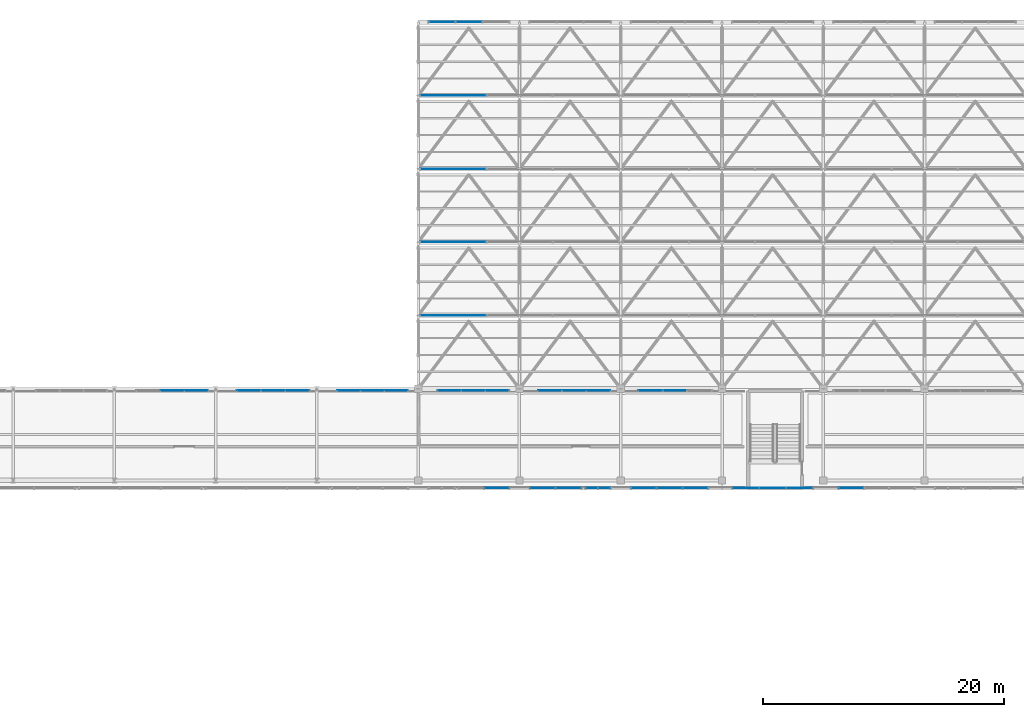
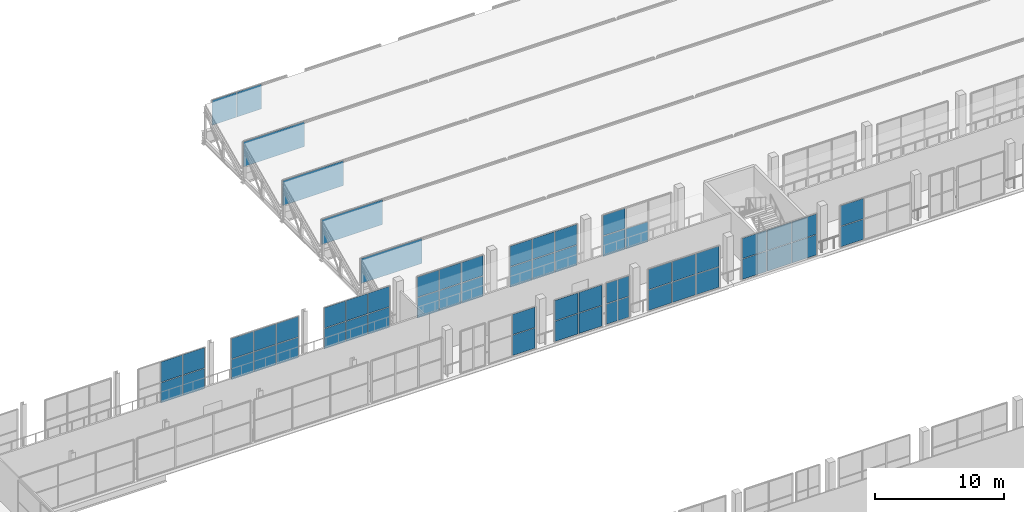
# One storey, part 170 of 217: 61 plates, 17 elements without a shape of their own.
"""IFC4 building model written with IfcOpenShell, lengths in metres."""

from ifc_helpers import new_model, si_unit, direction, frame, origin, origin_2d, place, context, subcontext, project, spatial, rectangle, extrude, material, layer, layer_set, type_object, element, aggregate, save


model = new_model("IFC4")

# Units and contexts
model_context = context("Model", 3, precision=1e-05, world=origin(), true_north=direction((0.0, 1.0)))
body_context = subcontext(model_context, "Body", "Model", "MODEL_VIEW")
ifc_project = project(units=[si_unit("LENGTHUNIT", "METRE"), si_unit("AREAUNIT", "SQUARE_METRE"), si_unit("VOLUMEUNIT", "CUBIC_METRE"), si_unit("PLANEANGLEUNIT", "RADIAN"), si_unit("MASSUNIT", "GRAM", prefix="KILO")], contexts=[model_context])

# Site, building, storey
site_placement = place(None, origin())
site = spatial("IfcSite", under=ifc_project, at=site_placement, CompositionType="ELEMENT")
building_placement = place(site_placement, origin())
building = spatial("IfcBuilding", under=site, at=building_placement, Name="Zuvorla Pavilion Media Centre", CompositionType="ELEMENT")
storey_placement = place(building_placement, frame((0.0, 0.0, 9.60009765625)))
storey = spatial("IfcBuildingStorey", under=building, at=storey_placement, Name="L02", CompositionType="ELEMENT", Elevation=9.60009765625)

# Curtain wall, plates
ifc_material_1 = material(Name="Unitised anodised aluminium and solar glass curtain wall", Category="aluminium")
curtain_wall_type_1 = type_object("IfcCurtainWallType", Name="CW-SYS-14", PredefinedType="USERDEFINED", material=ifc_material_1)
curtain_wall_1_placement = place(storey_placement, origin())
curtain_wall_1 = element("IfcCurtainWall", 1, at=curtain_wall_1_placement, inside=storey, type_object=curtain_wall_type_1, Name="L02 curtain wall CW14 19", ObjectType="CURTAIN WALL", PredefinedType="USERDEFINED")
ifc_material_2 = material(Name="Solar control double glazing", Category="glass")
ifc_layer_1 = layer(ifc_material_2, 0.028076171875)
ifc_layer_set_1 = layer_set([ifc_layer_1], Name="Solar control double glazing")
plate_type_1 = type_object("IfcPlateType", Name="CW-PNL-28", PredefinedType="CURTAIN_PANEL", material=ifc_layer_set_1)
plate_1_placement = place(storey_placement, frame((88.09228515625, 89.43994140625, 0.02978515625), z_axis=(0.0, 0.0, 1.0), x_axis=(-1.0, 0.0, 0.0)))
plate_1 = element("IfcPlate", 2, at=plate_1_placement, type_object=plate_type_1, Name="CW14 panel 2.1", PredefinedType="CURTAIN_PANEL", context=body_context, shape_type="SweptSolid", body=[
    extrude(rectangle(XDim=1.978271484375, YDim=0.028076171875, at=origin_2d()), origin(), (0.0, 0.0, 1.0), 1.9150390625),
])
plate_2_placement = place(storey_placement, frame((86.05419921875, 89.43994140625, 0.02978515625), z_axis=(0.0, 0.0, 1.0), x_axis=(-1.0, 0.0, 0.0)))
plate_2 = element("IfcPlate", 3, at=plate_2_placement, type_object=plate_type_1, Name="CW14 panel 3.1", PredefinedType="CURTAIN_PANEL", context=body_context, shape_type="SweptSolid", body=[
    extrude(rectangle(XDim=1.978271484375, YDim=0.028076171875, at=origin_2d()), origin(), (0.0, 0.0, 1.0), 1.9150390625),
])
plate_3_placement = place(storey_placement, frame((86.05419921875, 89.43994140625, 2.0048828125), z_axis=(0.0, 0.0, 1.0), x_axis=(-1.0, 0.0, 0.0)))
plate_3 = element("IfcPlate", 4, at=plate_3_placement, type_object=plate_type_1, Name="CW14 panel 3.2", PredefinedType="CURTAIN_PANEL", context=body_context, shape_type="SweptSolid", body=[
    extrude(rectangle(XDim=1.978271484375, YDim=0.028076171875, at=origin_2d()), origin(), (0.0, 0.0, 1.0), 1.9150390625),
])
aggregate(curtain_wall_1, [plate_1, plate_2, plate_3])

curtain_wall_type_2 = type_object("IfcCurtainWallType", Name="CW-SYS-17", PredefinedType="USERDEFINED", material=ifc_material_1)
curtain_wall_2_placement = place(storey_placement, origin())
curtain_wall_2 = element("IfcCurtainWall", 5, at=curtain_wall_2_placement, inside=storey, type_object=curtain_wall_type_2, Name="L02 curtain wall CW17 22", ObjectType="CURTAIN WALL", PredefinedType="USERDEFINED")
plate_4_placement = place(storey_placement, frame((64.968017578125, 89.43994140625, 0.02978515625), z_axis=(0.0, 0.0, 1.0), x_axis=(-1.0, 0.0, 0.0)))
plate_4 = element("IfcPlate", 6, at=plate_4_placement, type_object=plate_type_1, Name="CW17 panel 1.1", PredefinedType="CURTAIN_PANEL", context=body_context, shape_type="SweptSolid", body=[
    extrude(rectangle(XDim=1.9033203125, YDim=0.028076171875, at=origin_2d()), origin(), (0.0, 0.0, 1.0), 1.9150390625),
])
plate_5_placement = place(storey_placement, frame((64.968017578125, 89.43994140625, 2.0048828125), z_axis=(0.0, 0.0, 1.0), x_axis=(-1.0, 0.0, 0.0)))
plate_5 = element("IfcPlate", 7, at=plate_5_placement, type_object=plate_type_1, Name="CW17 panel 1.2", PredefinedType="CURTAIN_PANEL", context=body_context, shape_type="SweptSolid", body=[
    extrude(rectangle(XDim=1.9033203125, YDim=0.028076171875, at=origin_2d()), origin(), (0.0, 0.0, 1.0), 1.9150390625),
])
plate_6_placement = place(storey_placement, frame((63.0048828125, 89.43994140625, 0.02978515625), z_axis=(0.0, 0.0, 1.0), x_axis=(-1.0, 0.0, 0.0)))
plate_6 = element("IfcPlate", 8, at=plate_6_placement, type_object=plate_type_1, Name="CW17 panel 2.1", PredefinedType="CURTAIN_PANEL", context=body_context, shape_type="SweptSolid", body=[
    extrude(rectangle(XDim=1.9033203125, YDim=0.028076171875, at=origin_2d()), origin(), (0.0, 0.0, 1.0), 1.9150390625),
])
plate_7_placement = place(storey_placement, frame((63.0048828125, 89.43994140625, 2.0048828125), z_axis=(0.0, 0.0, 1.0), x_axis=(-1.0, 0.0, 0.0)))
plate_7 = element("IfcPlate", 9, at=plate_7_placement, type_object=plate_type_1, Name="CW17 panel 2.2", PredefinedType="CURTAIN_PANEL", context=body_context, shape_type="SweptSolid", body=[
    extrude(rectangle(XDim=1.9033203125, YDim=0.028076171875, at=origin_2d()), origin(), (0.0, 0.0, 1.0), 1.9150390625),
])
plate_8_placement = place(storey_placement, frame((61.04150390625, 89.43994140625, 0.02978515625), z_axis=(0.0, 0.0, 1.0), x_axis=(-1.0, 0.0, 0.0)))
plate_8 = element("IfcPlate", 10, at=plate_8_placement, type_object=plate_type_1, Name="CW17 panel 3.1", PredefinedType="CURTAIN_PANEL", context=body_context, shape_type="SweptSolid", body=[
    extrude(rectangle(XDim=1.9033203125, YDim=0.028076171875, at=origin_2d()), origin(), (0.0, 0.0, 1.0), 1.9150390625),
])
plate_9_placement = place(storey_placement, frame((61.04150390625, 89.43994140625, 2.0048828125), z_axis=(0.0, 0.0, 1.0), x_axis=(-1.0, 0.0, 0.0)))
plate_9 = element("IfcPlate", 11, at=plate_9_placement, type_object=plate_type_1, Name="CW17 panel 3.2", PredefinedType="CURTAIN_PANEL", context=body_context, shape_type="SweptSolid", body=[
    extrude(rectangle(XDim=1.9033203125, YDim=0.028076171875, at=origin_2d()), origin(), (0.0, 0.0, 1.0), 1.9150390625),
])
aggregate(curtain_wall_2, [plate_4, plate_5, plate_6, plate_7, plate_8, plate_9])

curtain_wall_type_3 = type_object("IfcCurtainWallType", Name="CW-SYS-46", PredefinedType="USERDEFINED", material=ifc_material_1)
curtain_wall_3_placement = place(storey_placement, origin())
curtain_wall_3 = element("IfcCurtainWall", 12, at=curtain_wall_3_placement, inside=storey, type_object=curtain_wall_type_3, Name="L02 curtain wall CW46 67", ObjectType="CURTAIN WALL", PredefinedType="USERDEFINED")
plate_10_placement = place(storey_placement, frame((89.775146484375, 81.360107421875, 0.02978515625), z_axis=(0.0, 0.0, 1.0), x_axis=(-1.0, 0.0, 0.0)))
plate_10 = element("IfcPlate", 13, at=plate_10_placement, type_object=plate_type_1, Name="CW46 panel 1.1", PredefinedType="CURTAIN_PANEL", context=body_context, shape_type="SweptSolid", body=[
    extrude(rectangle(XDim=2.06982421875, YDim=0.028076171875, at=origin_2d()), origin(), (0.0, 0.0, 1.0), 1.9150390625),
])
plate_11_placement = place(storey_placement, frame((89.775146484375, 81.360107421875, 2.0048828125), z_axis=(0.0, 0.0, 1.0), x_axis=(-1.0, 0.0, 0.0)))
plate_11 = element("IfcPlate", 14, at=plate_11_placement, type_object=plate_type_1, Name="CW46 panel 1.2", PredefinedType="CURTAIN_PANEL", context=body_context, shape_type="SweptSolid", body=[
    extrude(rectangle(XDim=2.06982421875, YDim=0.028076171875, at=origin_2d()), origin(), (0.0, 0.0, 1.0), 1.9150390625),
])
plate_12_placement = place(storey_placement, frame((87.645263671875, 81.360107421875, 0.02978515625), z_axis=(0.0, 0.0, 1.0), x_axis=(-1.0, 0.0, 0.0)))
plate_12 = element("IfcPlate", 15, at=plate_12_placement, type_object=plate_type_1, Name="CW46 panel 2.1", PredefinedType="CURTAIN_PANEL", context=body_context, shape_type="SweptSolid", body=[
    extrude(rectangle(XDim=2.06982421875, YDim=0.028076171875, at=origin_2d()), origin(), (0.0, 0.0, 1.0), 1.9150390625),
])
plate_13_placement = place(storey_placement, frame((87.645263671875, 81.360107421875, 2.0048828125), z_axis=(0.0, 0.0, 1.0), x_axis=(-1.0, 0.0, 0.0)))
plate_13 = element("IfcPlate", 16, at=plate_13_placement, type_object=plate_type_1, Name="CW46 panel 2.2", PredefinedType="CURTAIN_PANEL", context=body_context, shape_type="SweptSolid", body=[
    extrude(rectangle(XDim=2.06982421875, YDim=0.028076171875, at=origin_2d()), origin(), (0.0, 0.0, 1.0), 1.9150390625),
])
plate_14_placement = place(storey_placement, frame((85.51513671875, 81.360107421875, 0.02978515625), z_axis=(0.0, 0.0, 1.0), x_axis=(-1.0, 0.0, 0.0)))
plate_14 = element("IfcPlate", 17, at=plate_14_placement, type_object=plate_type_1, Name="CW46 panel 3.1", PredefinedType="CURTAIN_PANEL", context=body_context, shape_type="SweptSolid", body=[
    extrude(rectangle(XDim=2.06982421875, YDim=0.028076171875, at=origin_2d()), origin(), (0.0, 0.0, 1.0), 1.9150390625),
])
plate_15_placement = place(storey_placement, frame((85.51513671875, 81.360107421875, 2.0048828125), z_axis=(0.0, 0.0, 1.0), x_axis=(-1.0, 0.0, 0.0)))
plate_15 = element("IfcPlate", 18, at=plate_15_placement, type_object=plate_type_1, Name="CW46 panel 3.2", PredefinedType="CURTAIN_PANEL", context=body_context, shape_type="SweptSolid", body=[
    extrude(rectangle(XDim=2.06982421875, YDim=0.028076171875, at=origin_2d()), origin(), (0.0, 0.0, 1.0), 1.9150390625),
])
aggregate(curtain_wall_3, [plate_10, plate_11, plate_12, plate_13, plate_14, plate_15])

curtain_wall_type_4 = type_object("IfcCurtainWallType", Name="CW-SYS-47", PredefinedType="USERDEFINED", material=ifc_material_1)
curtain_wall_4_placement = place(storey_placement, origin())
curtain_wall_4 = element("IfcCurtainWall", 19, at=curtain_wall_4_placement, inside=storey, type_object=curtain_wall_type_4, Name="L02 curtain wall CW47 68", ObjectType="CURTAIN WALL", PredefinedType="USERDEFINED")
plate_16_placement = place(storey_placement, frame((82.227294921875, 81.360107421875, 0.02978515625), z_axis=(0.0, 0.0, 1.0), x_axis=(-1.0, 0.0, 0.0)))
plate_16 = element("IfcPlate", 20, at=plate_16_placement, type_object=plate_type_1, Name="CW47 panel 1.1", PredefinedType="CURTAIN_PANEL", context=body_context, shape_type="SweptSolid", body=[
    extrude(rectangle(XDim=0.98486328125, YDim=0.028076171875, at=origin_2d()), origin(), (0.0, 0.0, 1.0), 1.9150390625),
])
plate_17_placement = place(storey_placement, frame((82.227294921875, 81.360107421875, 2.0048828125), z_axis=(0.0, 0.0, 1.0), x_axis=(-1.0, 0.0, 0.0)))
plate_17 = element("IfcPlate", 21, at=plate_17_placement, type_object=plate_type_1, Name="CW47 panel 1.2", PredefinedType="CURTAIN_PANEL", context=body_context, shape_type="SweptSolid", body=[
    extrude(rectangle(XDim=0.98486328125, YDim=0.028076171875, at=origin_2d()), origin(), (0.0, 0.0, 1.0), 1.9150390625),
])
plate_18_placement = place(storey_placement, frame((81.182373046875, 81.360107421875, 0.02978515625), z_axis=(0.0, 0.0, 1.0), x_axis=(-1.0, 0.0, 0.0)))
plate_18 = element("IfcPlate", 22, at=plate_18_placement, type_object=plate_type_1, Name="CW47 panel 2.1", PredefinedType="CURTAIN_PANEL", context=body_context, shape_type="SweptSolid", body=[
    extrude(rectangle(XDim=0.98486328125, YDim=0.028076171875, at=origin_2d()), origin(), (0.0, 0.0, 1.0), 1.9150390625),
])
plate_19_placement = place(storey_placement, frame((81.182373046875, 81.360107421875, 2.0048828125), z_axis=(0.0, 0.0, 1.0), x_axis=(-1.0, 0.0, 0.0)))
plate_19 = element("IfcPlate", 23, at=plate_19_placement, type_object=plate_type_1, Name="CW47 panel 2.2", PredefinedType="CURTAIN_PANEL", context=body_context, shape_type="SweptSolid", body=[
    extrude(rectangle(XDim=0.98486328125, YDim=0.028076171875, at=origin_2d()), origin(), (0.0, 0.0, 1.0), 1.9150390625),
])
aggregate(curtain_wall_4, [plate_16, plate_17, plate_18, plate_19])

curtain_wall_type_5 = type_object("IfcCurtainWallType", Name="CW-SYS-15", PredefinedType="USERDEFINED", material=ifc_material_1)
curtain_wall_5_placement = place(storey_placement, origin())
curtain_wall_5 = element("IfcCurtainWall", 24, at=curtain_wall_5_placement, inside=storey, type_object=curtain_wall_type_5, Name="L02 curtain wall CW15 20", ObjectType="CURTAIN WALL", PredefinedType="USERDEFINED")
ifc_material_3 = material(Name="Acoustic laminated solar glazing", Category="glass")
ifc_layer_2 = layer(ifc_material_3, 0.033935546875)
ifc_layer_set_2 = layer_set([ifc_layer_2], Name="Acoustic laminated solar glazing")
plate_type_2 = type_object("IfcPlateType", Name="CW-PNL-34", PredefinedType="CURTAIN_PANEL", material=ifc_layer_set_2)
plate_20_placement = place(storey_placement, frame((81.7431640625, 89.43994140625, 0.02978515625), z_axis=(0.0, 0.0, 1.0), x_axis=(-1.0, 0.0, 0.0)))
plate_20 = element("IfcPlate", 25, at=plate_20_placement, type_object=plate_type_2, Name="CW15 panel 1.1", PredefinedType="CURTAIN_PANEL", context=body_context, shape_type="SweptSolid", body=[
    extrude(rectangle(XDim=1.953125, YDim=0.033935546875, at=origin_2d()), origin(), (0.0, 0.0, 1.0), 1.9150390625),
])
plate_21_placement = place(storey_placement, frame((81.7431640625, 89.43994140625, 2.0048828125), z_axis=(0.0, 0.0, 1.0), x_axis=(-1.0, 0.0, 0.0)))
plate_21 = element("IfcPlate", 26, at=plate_21_placement, type_object=plate_type_2, Name="CW15 panel 1.2", PredefinedType="CURTAIN_PANEL", context=body_context, shape_type="SweptSolid", body=[
    extrude(rectangle(XDim=1.953125, YDim=0.033935546875, at=origin_2d()), origin(), (0.0, 0.0, 1.0), 1.9150390625),
])
plate_22_placement = place(storey_placement, frame((79.729736328125, 89.43994140625, 0.02978515625), z_axis=(0.0, 0.0, 1.0), x_axis=(-1.0, 0.0, 0.0)))
plate_22 = element("IfcPlate", 27, at=plate_22_placement, type_object=plate_type_2, Name="CW15 panel 2.1", PredefinedType="CURTAIN_PANEL", context=body_context, shape_type="SweptSolid", body=[
    extrude(rectangle(XDim=1.953125, YDim=0.033935546875, at=origin_2d()), origin(), (0.0, 0.0, 1.0), 1.9150390625),
])
plate_23_placement = place(storey_placement, frame((79.729736328125, 89.43994140625, 2.0048828125), z_axis=(0.0, 0.0, 1.0), x_axis=(-1.0, 0.0, 0.0)))
plate_23 = element("IfcPlate", 28, at=plate_23_placement, type_object=plate_type_2, Name="CW15 panel 2.2", PredefinedType="CURTAIN_PANEL", context=body_context, shape_type="SweptSolid", body=[
    extrude(rectangle(XDim=1.953125, YDim=0.033935546875, at=origin_2d()), origin(), (0.0, 0.0, 1.0), 1.9150390625),
])
plate_24_placement = place(storey_placement, frame((77.716552734375, 89.43994140625, 0.02978515625), z_axis=(0.0, 0.0, 1.0), x_axis=(-1.0, 0.0, 0.0)))
plate_24 = element("IfcPlate", 29, at=plate_24_placement, type_object=plate_type_2, Name="CW15 panel 3.1", PredefinedType="CURTAIN_PANEL", context=body_context, shape_type="SweptSolid", body=[
    extrude(rectangle(XDim=1.953125, YDim=0.033935546875, at=origin_2d()), origin(), (0.0, 0.0, 1.0), 1.9150390625),
])
plate_25_placement = place(storey_placement, frame((77.716552734375, 89.43994140625, 2.0048828125), z_axis=(0.0, 0.0, 1.0), x_axis=(-1.0, 0.0, 0.0)))
plate_25 = element("IfcPlate", 30, at=plate_25_placement, type_object=plate_type_2, Name="CW15 panel 3.2", PredefinedType="CURTAIN_PANEL", context=body_context, shape_type="SweptSolid", body=[
    extrude(rectangle(XDim=1.953125, YDim=0.033935546875, at=origin_2d()), origin(), (0.0, 0.0, 1.0), 1.9150390625),
])
aggregate(curtain_wall_5, [plate_20, plate_21, plate_22, plate_23, plate_24, plate_25])

curtain_wall_6_placement = place(storey_placement, origin())
curtain_wall_6 = element("IfcCurtainWall", 31, at=curtain_wall_6_placement, inside=storey, type_object=curtain_wall_type_5, Name="L02 curtain wall CW15 23", ObjectType="CURTAIN WALL", PredefinedType="USERDEFINED")
plate_26_placement = place(storey_placement, frame((56.7890625, 89.43994140625, 0.02978515625), z_axis=(0.0, 0.0, 1.0), x_axis=(-1.0, 0.0, 0.0)))
plate_26 = element("IfcPlate", 32, at=plate_26_placement, type_object=plate_type_2, Name="CW15 panel 1.1", PredefinedType="CURTAIN_PANEL", context=body_context, shape_type="SweptSolid", body=[
    extrude(rectangle(XDim=1.961669921875, YDim=0.033935546875, at=origin_2d()), origin(), (0.0, 0.0, 1.0), 1.9150390625),
])
plate_27_placement = place(storey_placement, frame((56.7890625, 89.43994140625, 2.0048828125), z_axis=(0.0, 0.0, 1.0), x_axis=(-1.0, 0.0, 0.0)))
plate_27 = element("IfcPlate", 33, at=plate_27_placement, type_object=plate_type_2, Name="CW15 panel 1.2", PredefinedType="CURTAIN_PANEL", context=body_context, shape_type="SweptSolid", body=[
    extrude(rectangle(XDim=1.961669921875, YDim=0.033935546875, at=origin_2d()), origin(), (0.0, 0.0, 1.0), 1.9150390625),
])
plate_28_placement = place(storey_placement, frame((54.767333984375, 89.43994140625, 0.02978515625), z_axis=(0.0, 0.0, 1.0), x_axis=(-1.0, 0.0, 0.0)))
plate_28 = element("IfcPlate", 34, at=plate_28_placement, type_object=plate_type_2, Name="CW15 panel 2.1", PredefinedType="CURTAIN_PANEL", context=body_context, shape_type="SweptSolid", body=[
    extrude(rectangle(XDim=1.961669921875, YDim=0.033935546875, at=origin_2d()), origin(), (0.0, 0.0, 1.0), 1.9150390625),
])
plate_29_placement = place(storey_placement, frame((54.767333984375, 89.43994140625, 2.0048828125), z_axis=(0.0, 0.0, 1.0), x_axis=(-1.0, 0.0, 0.0)))
plate_29 = element("IfcPlate", 35, at=plate_29_placement, type_object=plate_type_2, Name="CW15 panel 2.2", PredefinedType="CURTAIN_PANEL", context=body_context, shape_type="SweptSolid", body=[
    extrude(rectangle(XDim=1.961669921875, YDim=0.033935546875, at=origin_2d()), origin(), (0.0, 0.0, 1.0), 1.9150390625),
])
plate_30_placement = place(storey_placement, frame((52.745849609375, 89.43994140625, 0.02978515625), z_axis=(0.0, 0.0, 1.0), x_axis=(-1.0, 0.0, 0.0)))
plate_30 = element("IfcPlate", 36, at=plate_30_placement, type_object=plate_type_2, Name="CW15 panel 3.1", PredefinedType="CURTAIN_PANEL", context=body_context, shape_type="SweptSolid", body=[
    extrude(rectangle(XDim=1.961669921875, YDim=0.033935546875, at=origin_2d()), origin(), (0.0, 0.0, 1.0), 1.9150390625),
])
plate_31_placement = place(storey_placement, frame((52.745849609375, 89.43994140625, 2.0048828125), z_axis=(0.0, 0.0, 1.0), x_axis=(-1.0, 0.0, 0.0)))
plate_31 = element("IfcPlate", 37, at=plate_31_placement, type_object=plate_type_2, Name="CW15 panel 3.2", PredefinedType="CURTAIN_PANEL", context=body_context, shape_type="SweptSolid", body=[
    extrude(rectangle(XDim=1.961669921875, YDim=0.033935546875, at=origin_2d()), origin(), (0.0, 0.0, 1.0), 1.9150390625),
])
aggregate(curtain_wall_6, [plate_26, plate_27, plate_28, plate_29, plate_30, plate_31])

curtain_wall_type_6 = type_object("IfcCurtainWallType", Name="CW-SYS-49", PredefinedType="USERDEFINED", material=ifc_material_1)
curtain_wall_7_placement = place(storey_placement, origin())
curtain_wall_7 = element("IfcCurtainWall", 38, at=curtain_wall_7_placement, inside=storey, type_object=curtain_wall_type_6, Name="L02 curtain wall CW49 70", ObjectType="CURTAIN WALL", PredefinedType="USERDEFINED")
plate_32_placement = place(storey_placement, frame((98.43310546875, 81.360107421875, 0.02978515625), z_axis=(0.0, 0.0, 1.0), x_axis=(-1.0, 0.0, 0.0)))
plate_32 = element("IfcPlate", 39, at=plate_32_placement, type_object=plate_type_2, Name="CW49 panel 1.1", PredefinedType="CURTAIN_PANEL", context=body_context, shape_type="SweptSolid", body=[
    extrude(rectangle(XDim=2.173095703125, YDim=0.033935546875, at=origin_2d()), origin(), (0.0, 0.0, 1.0), 1.9150390625),
])
plate_33_placement = place(storey_placement, frame((98.43310546875, 81.360107421875, 2.0048828125), z_axis=(0.0, 0.0, 1.0), x_axis=(-1.0, 0.0, 0.0)))
plate_33 = element("IfcPlate", 40, at=plate_33_placement, type_object=plate_type_2, Name="CW49 panel 1.2", PredefinedType="CURTAIN_PANEL", context=body_context, shape_type="SweptSolid", body=[
    extrude(rectangle(XDim=2.173095703125, YDim=0.033935546875, at=origin_2d()), origin(), (0.0, 0.0, 1.0), 1.9150390625),
])
plate_34_placement = place(storey_placement, frame((96.199951171875, 81.360107421875, 0.02978515625), z_axis=(0.0, 0.0, 1.0), x_axis=(-1.0, 0.0, 0.0)))
plate_34 = element("IfcPlate", 41, at=plate_34_placement, type_object=plate_type_2, Name="CW49 panel 2.1", PredefinedType="CURTAIN_PANEL", context=body_context, shape_type="SweptSolid", body=[
    extrude(rectangle(XDim=2.173095703125, YDim=0.033935546875, at=origin_2d()), origin(), (0.0, 0.0, 1.0), 1.9150390625),
])
plate_35_placement = place(storey_placement, frame((96.199951171875, 81.360107421875, 2.0048828125), z_axis=(0.0, 0.0, 1.0), x_axis=(-1.0, 0.0, 0.0)))
plate_35 = element("IfcPlate", 42, at=plate_35_placement, type_object=plate_type_2, Name="CW49 panel 2.2", PredefinedType="CURTAIN_PANEL", context=body_context, shape_type="SweptSolid", body=[
    extrude(rectangle(XDim=2.173095703125, YDim=0.033935546875, at=origin_2d()), origin(), (0.0, 0.0, 1.0), 1.9150390625),
])
plate_36_placement = place(storey_placement, frame((93.966796875, 81.360107421875, 0.02978515625), z_axis=(0.0, 0.0, 1.0), x_axis=(-1.0, 0.0, 0.0)))
plate_36 = element("IfcPlate", 43, at=plate_36_placement, type_object=plate_type_2, Name="CW49 panel 3.1", PredefinedType="CURTAIN_PANEL", context=body_context, shape_type="SweptSolid", body=[
    extrude(rectangle(XDim=2.173095703125, YDim=0.033935546875, at=origin_2d()), origin(), (0.0, 0.0, 1.0), 1.9150390625),
])
plate_37_placement = place(storey_placement, frame((93.966796875, 81.360107421875, 2.0048828125), z_axis=(0.0, 0.0, 1.0), x_axis=(-1.0, 0.0, 0.0)))
plate_37 = element("IfcPlate", 44, at=plate_37_placement, type_object=plate_type_2, Name="CW49 panel 3.2", PredefinedType="CURTAIN_PANEL", context=body_context, shape_type="SweptSolid", body=[
    extrude(rectangle(XDim=2.173095703125, YDim=0.033935546875, at=origin_2d()), origin(), (0.0, 0.0, 1.0), 1.9150390625),
])
aggregate(curtain_wall_7, [plate_32, plate_33, plate_34, plate_35, plate_36, plate_37])

curtain_wall_type_7 = type_object("IfcCurtainWallType", Name="CW-SYS-16", PredefinedType="USERDEFINED", material=ifc_material_1)
curtain_wall_8_placement = place(storey_placement, origin())
curtain_wall_8 = element("IfcCurtainWall", 45, at=curtain_wall_8_placement, inside=storey, type_object=curtain_wall_type_7, Name="L02 curtain wall CW16 21", ObjectType="CURTAIN WALL", PredefinedType="USERDEFINED")
ifc_material_4 = material(Name="Triple acoustic broadcast glazing", Category="glass")
ifc_layer_3 = layer(ifc_material_4, 0.0419921875)
ifc_layer_set_3 = layer_set([ifc_layer_3], Name="Triple acoustic broadcast glazing")
plate_type_3 = type_object("IfcPlateType", Name="CW-PNL-42", PredefinedType="CURTAIN_PANEL", material=ifc_layer_set_3)
plate_38_placement = place(storey_placement, frame((73.35546875, 89.43994140625, 0.02978515625), z_axis=(0.0, 0.0, 1.0), x_axis=(-1.0, 0.0, 0.0)))
plate_38 = element("IfcPlate", 46, at=plate_38_placement, type_object=plate_type_3, Name="CW16 panel 1.1", PredefinedType="CURTAIN_PANEL", context=body_context, shape_type="SweptSolid", body=[
    extrude(rectangle(XDim=1.92822265625, YDim=0.0419921875, at=origin_2d()), origin(), (0.0, 0.0, 1.0), 1.9150390625),
])
plate_39_placement = place(storey_placement, frame((73.35546875, 89.43994140625, 2.0048828125), z_axis=(0.0, 0.0, 1.0), x_axis=(-1.0, 0.0, 0.0)))
plate_39 = element("IfcPlate", 47, at=plate_39_placement, type_object=plate_type_3, Name="CW16 panel 1.2", PredefinedType="CURTAIN_PANEL", context=body_context, shape_type="SweptSolid", body=[
    extrude(rectangle(XDim=1.92822265625, YDim=0.0419921875, at=origin_2d()), origin(), (0.0, 0.0, 1.0), 1.9150390625),
])
plate_40_placement = place(storey_placement, frame((71.367431640625, 89.43994140625, 0.02978515625), z_axis=(0.0, 0.0, 1.0), x_axis=(-1.0, 0.0, 0.0)))
plate_40 = element("IfcPlate", 48, at=plate_40_placement, type_object=plate_type_3, Name="CW16 panel 2.1", PredefinedType="CURTAIN_PANEL", context=body_context, shape_type="SweptSolid", body=[
    extrude(rectangle(XDim=1.92822265625, YDim=0.0419921875, at=origin_2d()), origin(), (0.0, 0.0, 1.0), 1.9150390625),
])
plate_41_placement = place(storey_placement, frame((71.367431640625, 89.43994140625, 2.0048828125), z_axis=(0.0, 0.0, 1.0), x_axis=(-1.0, 0.0, 0.0)))
plate_41 = element("IfcPlate", 49, at=plate_41_placement, type_object=plate_type_3, Name="CW16 panel 2.2", PredefinedType="CURTAIN_PANEL", context=body_context, shape_type="SweptSolid", body=[
    extrude(rectangle(XDim=1.92822265625, YDim=0.0419921875, at=origin_2d()), origin(), (0.0, 0.0, 1.0), 1.9150390625),
])
plate_42_placement = place(storey_placement, frame((69.379150390625, 89.43994140625, 0.02978515625), z_axis=(0.0, 0.0, 1.0), x_axis=(-1.0, 0.0, 0.0)))
plate_42 = element("IfcPlate", 50, at=plate_42_placement, type_object=plate_type_3, Name="CW16 panel 3.1", PredefinedType="CURTAIN_PANEL", context=body_context, shape_type="SweptSolid", body=[
    extrude(rectangle(XDim=1.92822265625, YDim=0.0419921875, at=origin_2d()), origin(), (0.0, 0.0, 1.0), 1.9150390625),
])
plate_43_placement = place(storey_placement, frame((69.379150390625, 89.43994140625, 2.0048828125), z_axis=(0.0, 0.0, 1.0), x_axis=(-1.0, 0.0, 0.0)))
plate_43 = element("IfcPlate", 51, at=plate_43_placement, type_object=plate_type_3, Name="CW16 panel 3.2", PredefinedType="CURTAIN_PANEL", context=body_context, shape_type="SweptSolid", body=[
    extrude(rectangle(XDim=1.92822265625, YDim=0.0419921875, at=origin_2d()), origin(), (0.0, 0.0, 1.0), 1.9150390625),
])
aggregate(curtain_wall_8, [plate_38, plate_39, plate_40, plate_41, plate_42, plate_43])

curtain_wall_type_8 = type_object("IfcCurtainWallType", Name="CW-SYS-18", PredefinedType="USERDEFINED", material=ifc_material_1)
curtain_wall_9_placement = place(storey_placement, origin())
curtain_wall_9 = element("IfcCurtainWall", 52, at=curtain_wall_9_placement, inside=storey, type_object=curtain_wall_type_8, Name="L02 curtain wall CW18 24", ObjectType="CURTAIN WALL", PredefinedType="USERDEFINED")
plate_44_placement = place(storey_placement, frame((48.401611328125, 89.43994140625, 0.02978515625), z_axis=(0.0, 0.0, 1.0), x_axis=(-1.0, 0.0, 0.0)))
plate_44 = element("IfcPlate", 53, at=plate_44_placement, type_object=plate_type_3, Name="CW18 panel 1.1", PredefinedType="CURTAIN_PANEL", context=body_context, shape_type="SweptSolid", body=[
    extrude(rectangle(XDim=1.9365234375, YDim=0.0419921875, at=origin_2d()), origin(), (0.0, 0.0, 1.0), 1.9150390625),
])
plate_45_placement = place(storey_placement, frame((48.401611328125, 89.43994140625, 2.0048828125), z_axis=(0.0, 0.0, 1.0), x_axis=(-1.0, 0.0, 0.0)))
plate_45 = element("IfcPlate", 54, at=plate_45_placement, type_object=plate_type_3, Name="CW18 panel 1.2", PredefinedType="CURTAIN_PANEL", context=body_context, shape_type="SweptSolid", body=[
    extrude(rectangle(XDim=1.9365234375, YDim=0.0419921875, at=origin_2d()), origin(), (0.0, 0.0, 1.0), 1.9150390625),
])
plate_46_placement = place(storey_placement, frame((46.40478515625, 89.43994140625, 0.02978515625), z_axis=(0.0, 0.0, 1.0), x_axis=(-1.0, 0.0, 0.0)))
plate_46 = element("IfcPlate", 55, at=plate_46_placement, type_object=plate_type_3, Name="CW18 panel 2.1", PredefinedType="CURTAIN_PANEL", context=body_context, shape_type="SweptSolid", body=[
    extrude(rectangle(XDim=1.9365234375, YDim=0.0419921875, at=origin_2d()), origin(), (0.0, 0.0, 1.0), 1.9150390625),
])
plate_47_placement = place(storey_placement, frame((46.40478515625, 89.43994140625, 2.0048828125), z_axis=(0.0, 0.0, 1.0), x_axis=(-1.0, 0.0, 0.0)))
plate_47 = element("IfcPlate", 56, at=plate_47_placement, type_object=plate_type_3, Name="CW18 panel 2.2", PredefinedType="CURTAIN_PANEL", context=body_context, shape_type="SweptSolid", body=[
    extrude(rectangle(XDim=1.9365234375, YDim=0.0419921875, at=origin_2d()), origin(), (0.0, 0.0, 1.0), 1.9150390625),
])
aggregate(curtain_wall_9, [plate_44, plate_45, plate_46, plate_47])

curtain_wall_type_9 = type_object("IfcCurtainWallType", Name="CW-SYS-42", PredefinedType="USERDEFINED", material=ifc_material_1)
curtain_wall_10_placement = place(storey_placement, origin())
curtain_wall_10 = element("IfcCurtainWall", 57, at=curtain_wall_10_placement, inside=storey, type_object=curtain_wall_type_9, Name="L02 curtain wall CW42 63", ObjectType="CURTAIN WALL", PredefinedType="USERDEFINED")
plate_48_placement = place(storey_placement, frame((79.267578125, 81.360107421875, 0.02978515625), z_axis=(0.0, 0.0, 1.0), x_axis=(-1.0, 0.0, 0.0)))
plate_48 = element("IfcPlate", 58, at=plate_48_placement, type_object=plate_type_3, Name="CW42 panel 1.1", PredefinedType="CURTAIN_PANEL", context=body_context, shape_type="SweptSolid", body=[
    extrude(rectangle(XDim=2.0849609375, YDim=0.0419921875, at=origin_2d()), origin(), (0.0, 0.0, 1.0), 1.9150390625),
])
plate_49_placement = place(storey_placement, frame((79.267578125, 81.360107421875, 2.0048828125), z_axis=(0.0, 0.0, 1.0), x_axis=(-1.0, 0.0, 0.0)))
plate_49 = element("IfcPlate", 59, at=plate_49_placement, type_object=plate_type_3, Name="CW42 panel 1.2", PredefinedType="CURTAIN_PANEL", context=body_context, shape_type="SweptSolid", body=[
    extrude(rectangle(XDim=2.0849609375, YDim=0.0419921875, at=origin_2d()), origin(), (0.0, 0.0, 1.0), 1.9150390625),
])
plate_50_placement = place(storey_placement, frame((77.122802734375, 81.360107421875, 0.02978515625), z_axis=(0.0, 0.0, 1.0), x_axis=(-1.0, 0.0, 0.0)))
plate_50 = element("IfcPlate", 60, at=plate_50_placement, type_object=plate_type_3, Name="CW42 panel 2.1", PredefinedType="CURTAIN_PANEL", context=body_context, shape_type="SweptSolid", body=[
    extrude(rectangle(XDim=2.0849609375, YDim=0.0419921875, at=origin_2d()), origin(), (0.0, 0.0, 1.0), 1.9150390625),
])
plate_51_placement = place(storey_placement, frame((77.122802734375, 81.360107421875, 2.0048828125), z_axis=(0.0, 0.0, 1.0), x_axis=(-1.0, 0.0, 0.0)))
plate_51 = element("IfcPlate", 61, at=plate_51_placement, type_object=plate_type_3, Name="CW42 panel 2.2", PredefinedType="CURTAIN_PANEL", context=body_context, shape_type="SweptSolid", body=[
    extrude(rectangle(XDim=2.0849609375, YDim=0.0419921875, at=origin_2d()), origin(), (0.0, 0.0, 1.0), 1.9150390625),
])
aggregate(curtain_wall_10, [plate_48, plate_49, plate_50, plate_51])

curtain_wall_type_10 = type_object("IfcCurtainWallType", Name="CW-SYS-43", PredefinedType="USERDEFINED", material=ifc_material_1)
curtain_wall_11_placement = place(storey_placement, origin())
curtain_wall_11 = element("IfcCurtainWall", 62, at=curtain_wall_11_placement, inside=storey, type_object=curtain_wall_type_10, Name="L02 curtain wall CW43 64", ObjectType="CURTAIN WALL", PredefinedType="USERDEFINED")
plate_52_placement = place(storey_placement, frame((73.30224609375, 81.360107421875, 0.02978515625), z_axis=(0.0, 0.0, 1.0), x_axis=(-1.0, 0.0, 0.0)))
plate_52 = element("IfcPlate", 63, at=plate_52_placement, type_object=plate_type_3, Name="CW43 panel 1.1", PredefinedType="CURTAIN_PANEL", context=body_context, shape_type="SweptSolid", body=[
    extrude(rectangle(XDim=2.034912109375, YDim=0.0419921875, at=origin_2d()), origin(), (0.0, 0.0, 1.0), 1.9150390625),
])
plate_53_placement = place(storey_placement, frame((73.30224609375, 81.360107421875, 2.0048828125), z_axis=(0.0, 0.0, 1.0), x_axis=(-1.0, 0.0, 0.0)))
plate_53 = element("IfcPlate", 64, at=plate_53_placement, type_object=plate_type_3, Name="CW43 panel 1.2", PredefinedType="CURTAIN_PANEL", context=body_context, shape_type="SweptSolid", body=[
    extrude(rectangle(XDim=2.034912109375, YDim=0.0419921875, at=origin_2d()), origin(), (0.0, 0.0, 1.0), 1.9150390625),
])
aggregate(curtain_wall_11, [plate_52, plate_53])

curtain_wall_type_11 = type_object("IfcCurtainWallType", Name="CW-SYS-12", PredefinedType="USERDEFINED", material=ifc_material_1)
curtain_wall_12_placement = place(storey_placement, origin())
curtain_wall_12 = element("IfcCurtainWall", 65, at=curtain_wall_12_placement, inside=storey, type_object=curtain_wall_type_11, Name="L02 curtain wall CW12 74", ObjectType="CURTAIN WALL", PredefinedType="USERDEFINED")
plate_54_placement = place(storey_placement, frame((102.708251953125, 81.360107421875, 0.02978515625), z_axis=(0.0, 0.0, 1.0), x_axis=(-1.0, 0.0, 0.0)))
plate_54 = element("IfcPlate", 66, at=plate_54_placement, type_object=plate_type_3, Name="CW12 panel 3.1", PredefinedType="CURTAIN_PANEL", context=body_context, shape_type="SweptSolid", body=[
    extrude(rectangle(XDim=2.03662109375, YDim=0.0419921875, at=origin_2d()), origin(), (0.0, 0.0, 1.0), 1.9150390625),
])
plate_55_placement = place(storey_placement, frame((102.708251953125, 81.360107421875, 2.0048828125), z_axis=(0.0, 0.0, 1.0), x_axis=(-1.0, 0.0, 0.0)))
plate_55 = element("IfcPlate", 67, at=plate_55_placement, type_object=plate_type_3, Name="CW12 panel 3.2", PredefinedType="CURTAIN_PANEL", context=body_context, shape_type="SweptSolid", body=[
    extrude(rectangle(XDim=2.03662109375, YDim=0.0419921875, at=origin_2d()), origin(), (0.0, 0.0, 1.0), 1.9150390625),
])
aggregate(curtain_wall_12, [plate_54, plate_55])

# Curtain wall, plate
curtain_wall_type_12 = type_object("IfcCurtainWallType", Name="CW-SYS-88", PredefinedType="USERDEFINED", material=ifc_material_1)
curtain_wall_13_placement = place(storey_placement, origin())
curtain_wall_13 = element("IfcCurtainWall", 68, at=curtain_wall_13_placement, inside=storey, type_object=curtain_wall_type_12, Name="L02 curtain wall CW88 200", ObjectType="CURTAIN WALL", PredefinedType="USERDEFINED")
plate_56_placement = place(storey_placement, frame((69.706787109375, 95.679931640625, 0.02978515625), z_axis=(0.0, 0.0, 1.0), x_axis=(1.0, 0.0, 0.0)))
plate_56 = element("IfcPlate", 69, at=plate_56_placement, type_object=plate_type_3, Name="CW88 panel 1.1", PredefinedType="CURTAIN_PANEL", context=body_context, shape_type="SweptSolid", body=[
    extrude(rectangle(XDim=5.433349609375, YDim=0.0419921875, at=origin_2d()), origin(), (0.0, 0.0, 1.0), 2.360107421875),
])
aggregate(curtain_wall_13, [plate_56])

curtain_wall_14_placement = place(storey_placement, origin())
curtain_wall_14 = element("IfcCurtainWall", 70, at=curtain_wall_14_placement, inside=storey, type_object=curtain_wall_type_12, Name="L02 curtain wall CW88 204", ObjectType="CURTAIN WALL", PredefinedType="USERDEFINED")
plate_57_placement = place(storey_placement, frame((69.706787109375, 101.760009765625, 0.02978515625), z_axis=(0.0, 0.0, 1.0), x_axis=(1.0, 0.0, 0.0)))
plate_57 = element("IfcPlate", 71, at=plate_57_placement, type_object=plate_type_3, Name="CW88 panel 1.1", PredefinedType="CURTAIN_PANEL", context=body_context, shape_type="SweptSolid", body=[
    extrude(rectangle(XDim=5.433349609375, YDim=0.0419921875, at=origin_2d()), origin(), (0.0, 0.0, 1.0), 2.360107421875),
])
aggregate(curtain_wall_14, [plate_57])

curtain_wall_15_placement = place(storey_placement, origin())
curtain_wall_15 = element("IfcCurtainWall", 72, at=curtain_wall_15_placement, inside=storey, type_object=curtain_wall_type_12, Name="L02 curtain wall CW88 208", ObjectType="CURTAIN WALL", PredefinedType="USERDEFINED")
plate_58_placement = place(storey_placement, frame((69.706787109375, 107.840087890625, 0.02978515625), z_axis=(0.0, 0.0, 1.0), x_axis=(1.0, 0.0, 0.0)))
plate_58 = element("IfcPlate", 73, at=plate_58_placement, type_object=plate_type_3, Name="CW88 panel 1.1", PredefinedType="CURTAIN_PANEL", context=body_context, shape_type="SweptSolid", body=[
    extrude(rectangle(XDim=5.433349609375, YDim=0.0419921875, at=origin_2d()), origin(), (0.0, 0.0, 1.0), 2.360107421875),
])
aggregate(curtain_wall_15, [plate_58])

curtain_wall_16_placement = place(storey_placement, origin())
curtain_wall_16 = element("IfcCurtainWall", 74, at=curtain_wall_16_placement, inside=storey, type_object=curtain_wall_type_12, Name="L02 curtain wall CW88 212", ObjectType="CURTAIN WALL", PredefinedType="USERDEFINED")
plate_59_placement = place(storey_placement, frame((69.706787109375, 113.919921875, 0.02978515625), z_axis=(0.0, 0.0, 1.0), x_axis=(1.0, 0.0, 0.0)))
plate_59 = element("IfcPlate", 75, at=plate_59_placement, type_object=plate_type_3, Name="CW88 panel 1.1", PredefinedType="CURTAIN_PANEL", context=body_context, shape_type="SweptSolid", body=[
    extrude(rectangle(XDim=5.433349609375, YDim=0.0419921875, at=origin_2d()), origin(), (0.0, 0.0, 1.0), 2.360107421875),
])
aggregate(curtain_wall_16, [plate_59])

# Curtain wall, plates
curtain_wall_type_13 = type_object("IfcCurtainWallType", Name="CW-SYS-89", PredefinedType="USERDEFINED", material=ifc_material_1)
curtain_wall_17_placement = place(storey_placement, origin())
curtain_wall_17 = element("IfcCurtainWall", 76, at=curtain_wall_17_placement, inside=storey, type_object=curtain_wall_type_13, Name="L02 curtain wall CW89 216", ObjectType="CURTAIN WALL", PredefinedType="USERDEFINED")
plate_60_placement = place(storey_placement, frame((68.766845703125, 120.0, 0.02978515625), z_axis=(0.0, 0.0, 1.0), x_axis=(1.0, 0.0, 0.0)))
plate_60 = element("IfcPlate", 77, at=plate_60_placement, type_object=plate_type_3, Name="CW89 panel 1.1", PredefinedType="CURTAIN_PANEL", context=body_context, shape_type="SweptSolid", body=[
    extrude(rectangle(XDim=2.173095703125, YDim=0.0419921875, at=origin_2d()), origin(), (0.0, 0.0, 1.0), 2.360107421875),
])
plate_61_placement = place(storey_placement, frame((71.0, 120.0, 0.02978515625), z_axis=(0.0, 0.0, 1.0), x_axis=(1.0, 0.0, 0.0)))
plate_61 = element("IfcPlate", 78, at=plate_61_placement, type_object=plate_type_3, Name="CW89 panel 2.1", PredefinedType="CURTAIN_PANEL", context=body_context, shape_type="SweptSolid", body=[
    extrude(rectangle(XDim=2.173095703125, YDim=0.0419921875, at=origin_2d()), origin(), (0.0, 0.0, 1.0), 2.360107421875),
])
aggregate(curtain_wall_17, [plate_60, plate_61])

save(model, "model.ifc")
